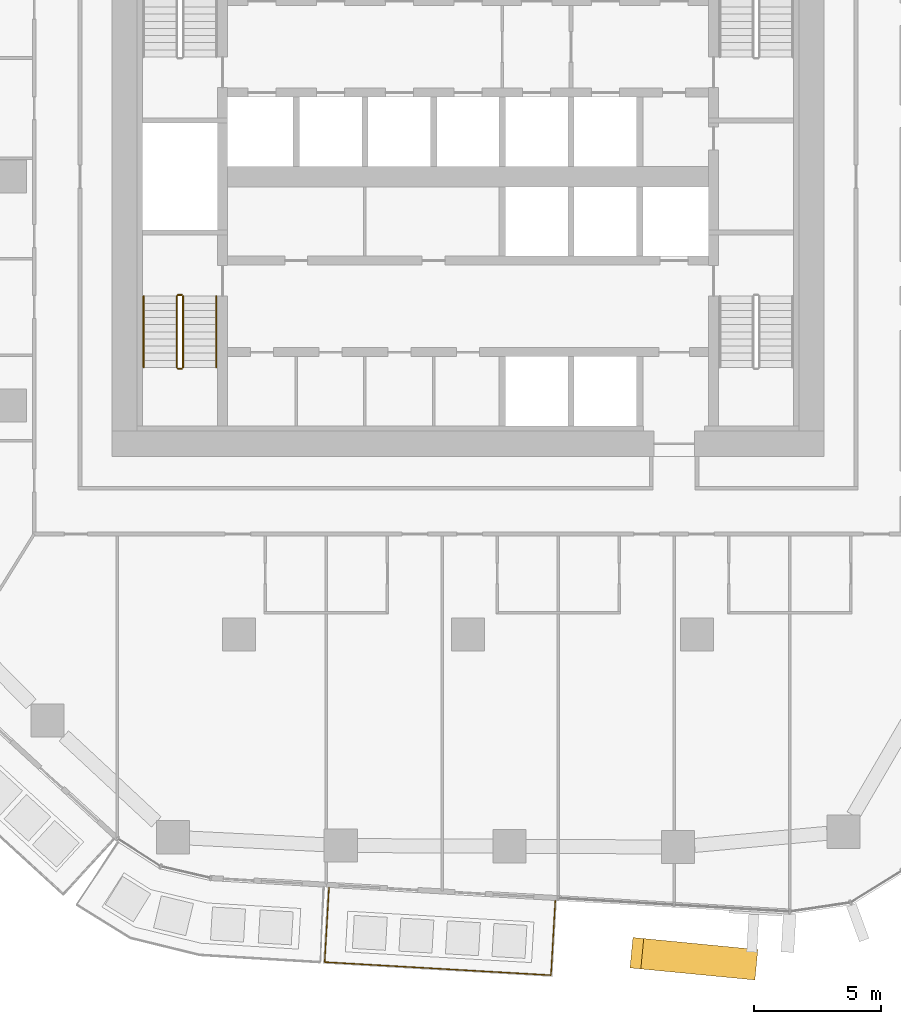
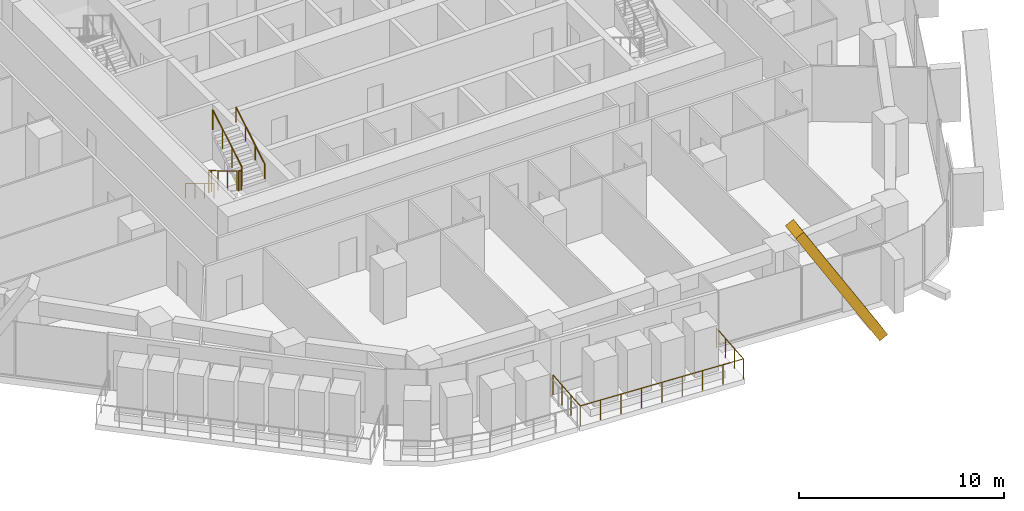
# One storey, part 19 of 23: 7 railings, 1 covering, 1 element without a shape of its own.
"""IFC4 building model written with IfcOpenShell, lengths in metres."""

from ifc_helpers import new_model, si_unit, direction, frame, origin, origin_2d, place, context, subcontext, project, spatial, rectangle, circle, extrude, material, layer, layer_set, material_profile, profile_set, type_object, element, aggregate, save


model = new_model("IFC4")

# Units and contexts
model_context = context("Model", 3, precision=1e-05, world=origin(), true_north=direction((0.0, 1.0)))
body_context = subcontext(model_context, "Body", "Model", "MODEL_VIEW")
ifc_project = project(units=[si_unit("LENGTHUNIT", "METRE"), si_unit("AREAUNIT", "SQUARE_METRE"), si_unit("VOLUMEUNIT", "CUBIC_METRE"), si_unit("PLANEANGLEUNIT", "RADIAN"), si_unit("MASSUNIT", "GRAM", prefix="KILO")], contexts=[model_context])

# Site, building, storey
site_placement = place(None, origin())
site = spatial("IfcSite", under=ifc_project, at=site_placement, CompositionType="ELEMENT")
building_placement = place(site_placement, origin())
building = spatial("IfcBuilding", under=site, at=building_placement, Name="Dongbaek Canopy Tower", CompositionType="ELEMENT")
storey_placement = place(building_placement, frame((0.0, 0.0, 121.10009765625)))
storey = spatial("IfcBuildingStorey", under=building, at=storey_placement, Name="L26", CompositionType="ELEMENT", Elevation=121.10009765625)

# Railing
ifc_material_1 = material(Name="Stainless steel", Category="steel")
railing_type_1 = type_object("IfcRailingType", Name="Balcony balustrade 1200", PredefinedType="BALUSTRADE", material=ifc_material_1)
railing_1_placement = place(storey_placement, frame((-5.463134765625, -27.936767578125, 0.0)))
element("IfcRailing", 1, at=railing_1_placement, inside=storey, type_object=railing_type_1, Name="Balcony guard L26 4", PredefinedType="BALUSTRADE", context=body_context, shape_type="SweptSolid", body=[
    extrude(circle(Radius=0.02392578125, at=origin_2d()), frame((0.0, 0.0, 1.17578125), z_axis=(-0.057714318081, -0.998333139532, 0.0), x_axis=(0.998333139532, -0.057714318081, 0.0)), (0.0, 0.0, 1.0), 2.93994140625),
    extrude(circle(Radius=0.02392578125, at=origin_2d()), frame((-0.169677734375, -2.93505859375, 1.17578125), z_axis=(0.998331079931, -0.057749933709, 0.0), x_axis=(0.057749933709, 0.998331079931, 0.0)), (0.0, 0.0, 1.0), 8.907470703125),
    extrude(circle(Radius=0.02392578125, at=origin_2d()), frame((8.722900390625, -3.449462890625, 1.17578125), z_axis=(0.057797083062, 0.99832835139, 0.0), x_axis=(-0.99832835139, 0.057797083062, 0.0)), (0.0, 0.0, 1.0), 2.93994140625),
    extrude(circle(Radius=0.02099609375, at=origin_2d()), origin(), (0.0, 0.0, 1.0), 1.15185546875),
    extrude(circle(Radius=0.02099609375, at=origin_2d()), frame((-0.056640625, -0.978271484375, 0.0)), (0.0, 0.0, 1.0), 1.15185546875),
    extrude(circle(Radius=0.02099609375, at=origin_2d()), frame((-0.113037109375, -1.956787109375, 0.0)), (0.0, 0.0, 1.0), 1.15185546875),
    extrude(circle(Radius=0.02099609375, at=origin_2d()), frame((-0.169677734375, -2.93505859375, 0.0)), (0.0, 0.0, 1.0), 1.15185546875),
    extrude(circle(Radius=0.02099609375, at=origin_2d()), frame((0.94189453125, -2.999267578125, 0.0)), (0.0, 0.0, 1.0), 1.15185546875),
    extrude(circle(Radius=0.02099609375, at=origin_2d()), frame((2.053466796875, -3.063720703125, 0.0)), (0.0, 0.0, 1.0), 1.15185546875),
    extrude(circle(Radius=0.02099609375, at=origin_2d()), frame((3.1650390625, -3.1279296875, 0.0)), (0.0, 0.0, 1.0), 1.15185546875),
    extrude(circle(Radius=0.02099609375, at=origin_2d()), frame((4.276611328125, -3.1923828125, 0.0)), (0.0, 0.0, 1.0), 1.15185546875),
    extrude(circle(Radius=0.02099609375, at=origin_2d()), frame((5.38818359375, -3.256591796875, 0.0)), (0.0, 0.0, 1.0), 1.15185546875),
    extrude(circle(Radius=0.02099609375, at=origin_2d()), frame((6.499755859375, -3.32080078125, 0.0)), (0.0, 0.0, 1.0), 1.15185546875),
    extrude(circle(Radius=0.02099609375, at=origin_2d()), frame((7.611328125, -3.38525390625, 0.0)), (0.0, 0.0, 1.0), 1.15185546875),
    extrude(circle(Radius=0.02099609375, at=origin_2d()), frame((8.722900390625, -3.449462890625, 0.0)), (0.0, 0.0, 1.0), 1.15185546875),
    extrude(circle(Radius=0.02099609375, at=origin_2d()), frame((8.779541015625, -2.47119140625, 0.0)), (0.0, 0.0, 1.0), 1.15185546875),
    extrude(circle(Radius=0.02099609375, at=origin_2d()), frame((8.836181640625, -1.49267578125, 0.0)), (0.0, 0.0, 1.0), 1.15185546875),
    extrude(circle(Radius=0.02099609375, at=origin_2d()), frame((8.892822265625, -0.514404296875, 0.0)), (0.0, 0.0, 1.0), 1.15185546875),
])

# Curtain wall, covering
ifc_material_2 = material(Name="Aluminium 6063-T6 pale anodised", Category="aluminium")
ifc_layer = layer(ifc_material_2, 0.199951171875)
ifc_layer_set = layer_set([ifc_layer], Name="CW-1 unitised tower curtain wall")
curtain_wall_type = type_object("IfcCurtainWallType", Name="CW-1 unitised tower curtain wall", PredefinedType="NOTDEFINED", material=ifc_layer_set)
curtain_wall_placement = place(storey_placement, origin())
curtain_wall = element("IfcCurtainWall", 2, at=curtain_wall_placement, inside=storey, type_object=curtain_wall_type, Name="CW-1 curtain wall F4.1", PredefinedType="NOTDEFINED")
ifc_material_3 = material(Name="Aluminium 6063-T6 pale metal fin", Category="aluminium")
ifc_material_profile = material_profile(ifc_material_3, rectangle(XDim=1.199951171875, YDim=0.5, at=origin_2d()), Name="Crease fin CF1 500 x 1200 pale metal")
ifc_profile_set = profile_set([ifc_material_profile], Name="Aluminium 6063-T6 pale metal fin")
covering_type = type_object("IfcCoveringType", Name="Crease fin CF1 500 x 1200 pale metal", PredefinedType="CLADDING", material=ifc_profile_set)
covering_placement = place(storey_placement, frame((11.121337890625, -30.95703125, -0.2001953125), z_axis=(-0.517684333449, 0.050156657606, 0.854100252078), x_axis=(-0.096435005714, -0.995339283698, 0.0)))
covering = element("IfcCovering", 3, at=covering_placement, type_object=covering_type, Name="Crease fin L26 L28 F4", PredefinedType="CLADDING", context=body_context, shape_type="SweptSolid", body=[
    extrude(rectangle(XDim=1.199951171875, YDim=0.5, at=origin_2d()), origin(), (0.0, 0.0, 1.0), 8.664306640625),
])
aggregate(curtain_wall, [covering])

# Railings
ifc_material_4 = material(Name="Stainless steel tube and balusters", Category="steel")
railing_type_2 = type_object("IfcRailingType", Name="Stair guard 1200", PredefinedType="GUARDRAIL", material=ifc_material_4)
railing_2_placement = place(storey_placement, frame((-11.449951171875, -4.699951171875, 0.16796875)))
element("IfcRailing", 4, at=railing_2_placement, inside=storey, type_object=railing_type_2, Name="L26 ST-D stair guard 1", PredefinedType="GUARDRAIL", context=body_context, shape_type="SweptSolid", body=[
    extrude(circle(Radius=0.02392578125, at=origin_2d()), frame((0.0, 0.0, 1.17578125), z_axis=(0.0, -0.857242210791, 0.514913383045), x_axis=(1.0, 0.0, 0.0)), (0.0, 0.0, 1.0), 3.266357421875),
    extrude(circle(Radius=0.02099609375, at=origin_2d()), origin(), (0.0, 0.0, 1.0), 1.15185546875),
    extrude(circle(Radius=0.02099609375, at=origin_2d()), frame((0.0, -0.933349609375, 0.560546875)), (0.0, 0.0, 1.0), 1.15185546875),
    extrude(circle(Radius=0.02099609375, at=origin_2d()), frame((0.0, -1.86669921875, 1.121337890625)), (0.0, 0.0, 1.0), 1.15185546875),
    extrude(circle(Radius=0.02099609375, at=origin_2d()), frame((0.0, -2.800048828125, 1.681884765625)), (0.0, 0.0, 1.0), 1.15185546875),
])
railing_3_placement = place(storey_placement, frame((-11.39990234375, -7.550048828125, 1.849853515625)))
element("IfcRailing", 5, at=railing_3_placement, inside=storey, type_object=railing_type_2, Name="L26 ST-D stair guard 2", PredefinedType="GUARDRAIL", context=body_context, shape_type="SweptSolid", body=[
    extrude(circle(Radius=0.02392578125, at=origin_2d()), frame((0.0, 0.0, 1.17578125), z_axis=(1.0, 0.0, 0.0), x_axis=(0.0, 1.0, 0.0)), (0.0, 0.0, 1.0), 0.14990234375),
    extrude(circle(Radius=0.02099609375, at=origin_2d()), origin(), (0.0, 0.0, 1.0), 1.15185546875),
    extrude(circle(Radius=0.02099609375, at=origin_2d()), frame((0.14990234375, 0.0, 0.0)), (0.0, 0.0, 1.0), 1.15185546875),
])
railing_4_placement = place(storey_placement, frame((-11.199951171875, -7.5, 2.01806640625)))
element("IfcRailing", 6, at=railing_4_placement, inside=storey, type_object=railing_type_2, Name="L26 ST-D stair guard 3", PredefinedType="GUARDRAIL", context=body_context, shape_type="SweptSolid", body=[
    extrude(circle(Radius=0.02392578125, at=origin_2d()), frame((0.0, 0.0, 1.17578125), z_axis=(0.0, 0.857242210791, 0.514913383045), x_axis=(-1.0, 0.0, 0.0)), (0.0, 0.0, 1.0), 3.266357421875),
    extrude(circle(Radius=0.02099609375, at=origin_2d()), origin(), (0.0, 0.0, 1.0), 1.15185546875),
    extrude(circle(Radius=0.02099609375, at=origin_2d()), frame((0.0, 0.933349609375, 0.560546875)), (0.0, 0.0, 1.0), 1.15185546875),
    extrude(circle(Radius=0.02099609375, at=origin_2d()), frame((0.0, 1.86669921875, 1.121337890625)), (0.0, 0.0, 1.0), 1.15185546875),
    extrude(circle(Radius=0.02099609375, at=origin_2d()), frame((0.0, 2.800048828125, 1.681884765625)), (0.0, 0.0, 1.0), 1.15185546875),
])
railing_5_placement = place(storey_placement, frame((-11.39990234375, -4.64990234375, 0.0)))
element("IfcRailing", 7, at=railing_5_placement, inside=storey, type_object=railing_type_2, Name="L26 ST-D stair guard 4", PredefinedType="GUARDRAIL", context=body_context, shape_type="SweptSolid", body=[
    extrude(circle(Radius=0.02392578125, at=origin_2d()), frame((0.0, 0.0, 1.17578125), z_axis=(1.0, 0.0, 0.0), x_axis=(0.0, 1.0, 0.0)), (0.0, 0.0, 1.0), 0.14990234375),
    extrude(circle(Radius=0.02099609375, at=origin_2d()), origin(), (0.0, 0.0, 1.0), 1.15185546875),
    extrude(circle(Radius=0.02099609375, at=origin_2d()), frame((0.14990234375, 0.0, 0.0)), (0.0, 0.0, 1.0), 1.15185546875),
])
ifc_material_5 = material(Name="Stainless steel tube", Category="steel")
railing_type_3 = type_object("IfcRailingType", Name="Stair handrail 900", PredefinedType="HANDRAIL", material=ifc_material_5)
railing_6_placement = place(storey_placement, frame((-12.75, -4.699951171875, 0.16796875)))
element("IfcRailing", 8, at=railing_6_placement, inside=storey, type_object=railing_type_3, Name="L26 ST-D stair handrail 1", PredefinedType="HANDRAIL", context=body_context, shape_type="SweptSolid", body=[
    extrude(circle(Radius=0.02392578125, at=origin_2d()), frame((0.0, 0.0, 0.8759765625), z_axis=(0.0, -0.857242210791, 0.514913383045), x_axis=(1.0, 0.0, 0.0)), (0.0, 0.0, 1.0), 3.266357421875),
    extrude(circle(Radius=0.02099609375, at=origin_2d()), origin(), (0.0, 0.0, 1.0), 0.851806640625),
    extrude(circle(Radius=0.02099609375, at=origin_2d()), frame((0.0, -0.933349609375, 0.560546875)), (0.0, 0.0, 1.0), 0.851806640625),
    extrude(circle(Radius=0.02099609375, at=origin_2d()), frame((0.0, -1.86669921875, 1.121337890625)), (0.0, 0.0, 1.0), 0.851806640625),
    extrude(circle(Radius=0.02099609375, at=origin_2d()), frame((0.0, -2.800048828125, 1.681884765625)), (0.0, 0.0, 1.0), 0.851806640625),
])
railing_7_placement = place(storey_placement, frame((-9.89990234375, -7.5, 2.01806640625)))
element("IfcRailing", 9, at=railing_7_placement, inside=storey, type_object=railing_type_3, Name="L26 ST-D stair handrail 2", PredefinedType="HANDRAIL", context=body_context, shape_type="SweptSolid", body=[
    extrude(circle(Radius=0.02392578125, at=origin_2d()), frame((0.0, 0.0, 0.8759765625), z_axis=(0.0, 0.857242210791, 0.514913383045), x_axis=(-1.0, 0.0, 0.0)), (0.0, 0.0, 1.0), 3.266357421875),
    extrude(circle(Radius=0.02099609375, at=origin_2d()), origin(), (0.0, 0.0, 1.0), 0.851806640625),
    extrude(circle(Radius=0.02099609375, at=origin_2d()), frame((0.0, 0.933349609375, 0.560546875)), (0.0, 0.0, 1.0), 0.851806640625),
    extrude(circle(Radius=0.02099609375, at=origin_2d()), frame((0.0, 1.86669921875, 1.121337890625)), (0.0, 0.0, 1.0), 0.851806640625),
    extrude(circle(Radius=0.02099609375, at=origin_2d()), frame((0.0, 2.800048828125, 1.681884765625)), (0.0, 0.0, 1.0), 0.851806640625),
])

save(model, "model.ifc")
